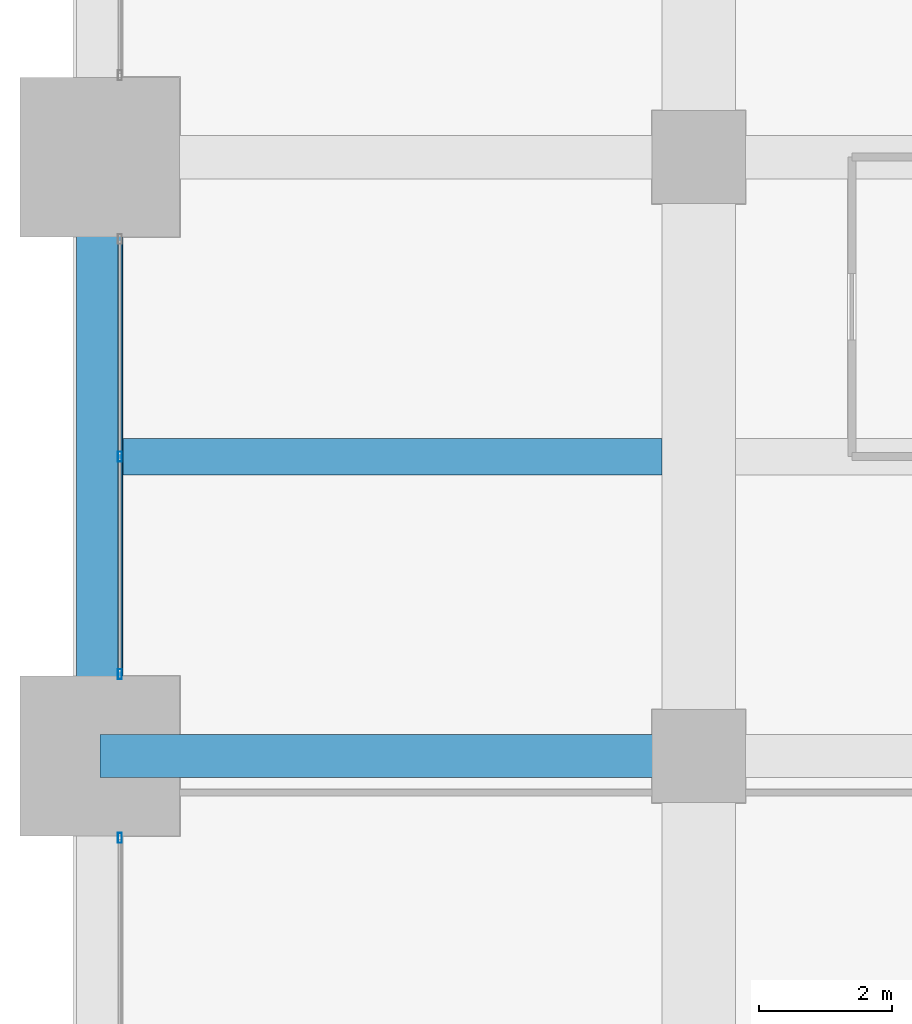
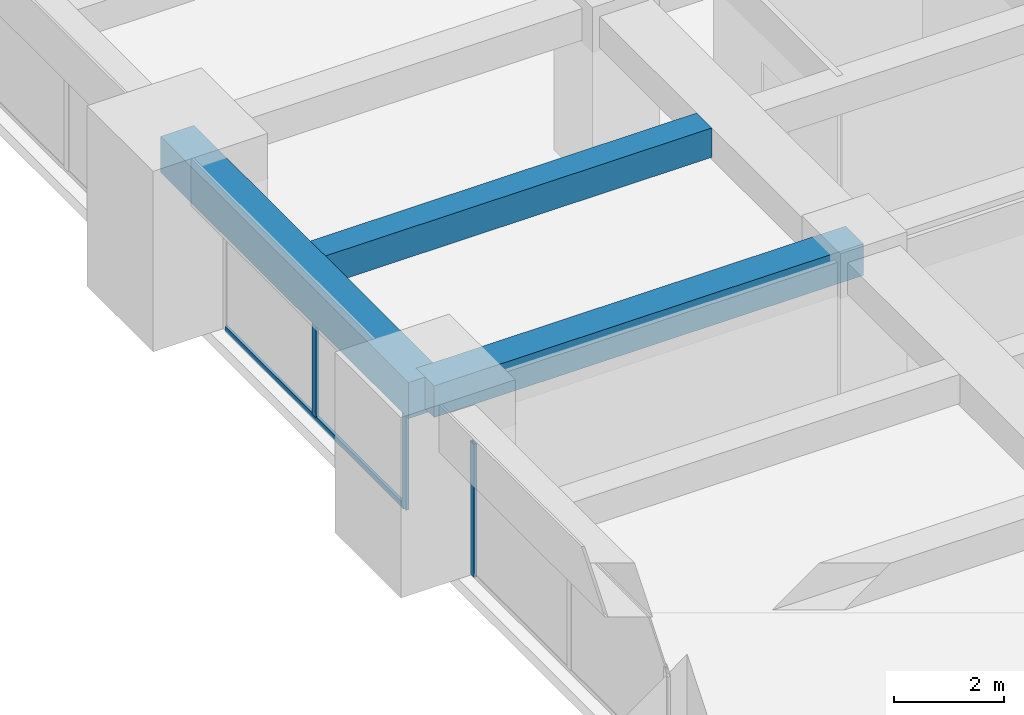
# One storey, part 9 of 33: 4 members, 3 beams, 2 elements without a shape of their own.
"""IFC4 building model written with IfcOpenShell, lengths in metres."""

from ifc_helpers import new_model, si_unit, direction, frame, origin, origin_2d, place, context, subcontext, project, spatial, rectangle, hollow_rectangle, extrude, material, material_profile, profile_set, type_object, element, aggregate, save


model = new_model("IFC4")

# Units and contexts
model_context = context("Model", 3, precision=1e-05, world=origin(), true_north=direction((0.0, 1.0)))
body_context = subcontext(model_context, "Body", "Model", "MODEL_VIEW")
ifc_project = project(units=[si_unit("LENGTHUNIT", "METRE"), si_unit("AREAUNIT", "SQUARE_METRE"), si_unit("VOLUMEUNIT", "CUBIC_METRE"), si_unit("PLANEANGLEUNIT", "RADIAN"), si_unit("MASSUNIT", "GRAM", prefix="KILO")], contexts=[model_context])

# Site, building, storey
site_placement = place(None, origin())
site = spatial("IfcSite", under=ifc_project, at=site_placement, CompositionType="ELEMENT")
building_placement = place(site_placement, origin())
building = spatial("IfcBuilding", under=site, at=building_placement, Name="Zorevar Civic Tower", CompositionType="ELEMENT")
storey_placement = place(building_placement, frame((0.0, 0.0, 206.199951171875)))
storey = spatial("IfcBuildingStorey", under=building, at=storey_placement, Name="L50", CompositionType="ELEMENT", Elevation=206.199951171875)

# Beams
ifc_material_1 = material(Name="Concrete C50/60", Category="concrete")
ifc_material_profile_1 = material_profile(ifc_material_1, rectangle(XDim=0.550048828125, YDim=0.64990234375, at=origin_2d()), Name="RC 550x650")
ifc_profile_set_1 = profile_set([ifc_material_profile_1], Name="Concrete C50/60")
beam_type_1 = type_object("IfcBeamType", Name="Beam RC 550x650", PredefinedType="BEAM", material=ifc_profile_set_1)
beam_1_placement = place(storey_placement, frame((0.35009765625, 22.5, 3.425048828125), z_axis=(1.0, 0.0, 0.0), x_axis=(0.0, 1.0, 0.0)))
element("IfcBeam", 1, at=beam_1_placement, inside=storey, type_object=beam_type_1, Name="Secondary beam L51", PredefinedType="BEAM", context=body_context, shape_type="SweptSolid", body=[
    extrude(rectangle(XDim=0.550048828125, YDim=0.64990234375, at=origin_2d()), origin(), (0.0, 0.0, 1.0), 8.099853515625),
])
ifc_material_2 = material(Name="Concrete C50/60", Category="concrete")
ifc_material_profile_2 = material_profile(ifc_material_2, rectangle(XDim=0.64990234375, YDim=0.699951171875, at=origin_2d()), Name="RC 650x700")
ifc_profile_set_2 = profile_set([ifc_material_profile_2], Name="Concrete C50/60")
beam_type_2 = type_object("IfcBeamType", Name="Beam RC 650x700", PredefinedType="BEAM", material=ifc_profile_set_2)
beam_2_placement = place(storey_placement, frame((0.0, 18.0, 3.400146484375), z_axis=(1.0, 0.0, 0.0), x_axis=(0.0, 1.0, 0.0)))
element("IfcBeam", 2, at=beam_2_placement, inside=storey, type_object=beam_type_2, Name="Girder L51", PredefinedType="BEAM", context=body_context, shape_type="SweptSolid", body=[
    extrude(rectangle(XDim=0.64990234375, YDim=0.699951171875, at=origin_2d()), origin(), (0.0, 0.0, 1.0), 9.0),
])

# Curtain wall, member
ifc_material_3 = material(Name="Dark grey solar-control glass in black aluminium frame", Category="aluminium")
curtain_wall_type = type_object("IfcCurtainWallType", Name="Curtain wall CW4 high zone", PredefinedType="NOTDEFINED", material=ifc_material_3)
curtain_wall_1_placement = place(storey_placement, origin())
curtain_wall_1 = element("IfcCurtainWall", 3, at=curtain_wall_1_placement, inside=storey, type_object=curtain_wall_type, Name="CW4 L50", PredefinedType="NOTDEFINED")
ifc_material_4 = material(Name="Aluminium, black anodised", Category="aluminium")
ifc_material_profile_3 = material_profile(ifc_material_4, hollow_rectangle(XDim=0.06005859375, YDim=0.14990234375, WallThickness=0.00390625, at=origin_2d()), Name="AL 150x60x4")
ifc_profile_set_3 = profile_set([ifc_material_profile_3], Name="Aluminium, black anodised")
member_type_1 = type_object("IfcMemberType", Name="CW4 mullion AL 150x60x4", PredefinedType="MULLION", material=ifc_profile_set_3)
member_1_placement = place(storey_placement, frame((0.300048828125, 16.77001953125, 0.0), z_axis=(0.0, 0.0, 1.0), x_axis=(-1.0, 0.0, 0.0)))
member_1 = element("IfcMember", 4, at=member_1_placement, type_object=member_type_1, Name="CW4 mullion 3", PredefinedType="MULLION", context=body_context, shape_type="SweptSolid", body=[
    extrude(hollow_rectangle(XDim=0.06005859375, YDim=0.14990234375, WallThickness=0.00390625, at=origin_2d()), origin(), (0.0, 0.0, 1.0), 2.949951171875),
])
aggregate(curtain_wall_1, [member_1])

# Curtain wall, members
curtain_wall_2_placement = place(storey_placement, origin())
curtain_wall_2 = element("IfcCurtainWall", 5, at=curtain_wall_2_placement, inside=storey, type_object=curtain_wall_type, Name="CW4 L50", PredefinedType="NOTDEFINED")
member_2_placement = place(storey_placement, frame((0.300048828125, 19.22998046875, 0.0), z_axis=(0.0, 0.0, 1.0), x_axis=(-1.0, 0.0, 0.0)))
member_2 = element("IfcMember", 6, at=member_2_placement, type_object=member_type_1, Name="CW4 mullion 1", PredefinedType="MULLION", context=body_context, shape_type="SweptSolid", body=[
    extrude(hollow_rectangle(XDim=0.06005859375, YDim=0.14990234375, WallThickness=0.00390625, at=origin_2d()), origin(), (0.0, 0.0, 1.0), 2.949951171875),
])
member_3_placement = place(storey_placement, frame((0.300048828125, 22.5, 0.06005859375), z_axis=(0.0, 0.0, 1.0), x_axis=(-1.0, 0.0, 0.0)))
member_3 = element("IfcMember", 7, at=member_3_placement, type_object=member_type_1, Name="CW4 mullion 2", PredefinedType="MULLION", context=body_context, shape_type="SweptSolid", body=[
    extrude(hollow_rectangle(XDim=0.06005859375, YDim=0.14990234375, WallThickness=0.00390625, at=origin_2d()), origin(), (0.0, 0.0, 1.0), 2.889892578125),
])
ifc_material_5 = material(Name="Aluminium, black anodised", Category="aluminium")
ifc_material_profile_4 = material_profile(ifc_material_5, hollow_rectangle(XDim=0.06005859375, YDim=0.1201171875, WallThickness=0.0029296875, at=origin_2d()), Name="AL 120x60x3")
ifc_profile_set_4 = profile_set([ifc_material_profile_4], Name="Aluminium, black anodised")
member_type_2 = type_object("IfcMemberType", Name="CW4 transom AL 120x60x3", PredefinedType="USERDEFINED", material=ifc_profile_set_4)
member_4_placement = place(storey_placement, frame((0.300048828125, 19.260009765625, 0.030029296875), z_axis=(0.0, 1.0, 0.0), x_axis=(-1.0, 0.0, 0.0)))
member_4 = element("IfcMember", 8, at=member_4_placement, type_object=member_type_2, Name="CW4 sill transom", ObjectType="TRANSOM", PredefinedType="USERDEFINED", context=body_context, shape_type="SweptSolid", body=[
    extrude(hollow_rectangle(XDim=0.06005859375, YDim=0.1201171875, WallThickness=0.0029296875, at=origin_2d()), origin(), (0.0, 0.0, 1.0), 6.47998046875),
])
aggregate(curtain_wall_2, [member_2, member_3, member_4])

# Beam
ifc_material_6 = material(Name="Concrete C50/60", Category="concrete")
ifc_material_profile_5 = material_profile(ifc_material_6, rectangle(XDim=0.699951171875, YDim=0.800048828125, at=origin_2d()), Name="RC 700x800")
ifc_profile_set_5 = profile_set([ifc_material_profile_5], Name="Concrete C50/60")
beam_type_3 = type_object("IfcBeamType", Name="Edge beam RC 700x800", PredefinedType="SPANDREL", material=ifc_profile_set_5)
beam_3_placement = place(storey_placement, frame((0.0, 18.0, 3.35009765625), z_axis=(0.0, 1.0, 0.0), x_axis=(-1.0, 0.0, 0.0)))
element("IfcBeam", 9, at=beam_3_placement, inside=storey, type_object=beam_type_3, Name="Edge beam L51", PredefinedType="SPANDREL", context=body_context, shape_type="SweptSolid", body=[
    extrude(rectangle(XDim=0.699951171875, YDim=0.800048828125, at=origin_2d()), origin(), (0.0, 0.0, 1.0), 9.0),
])

save(model, "model.ifc")
